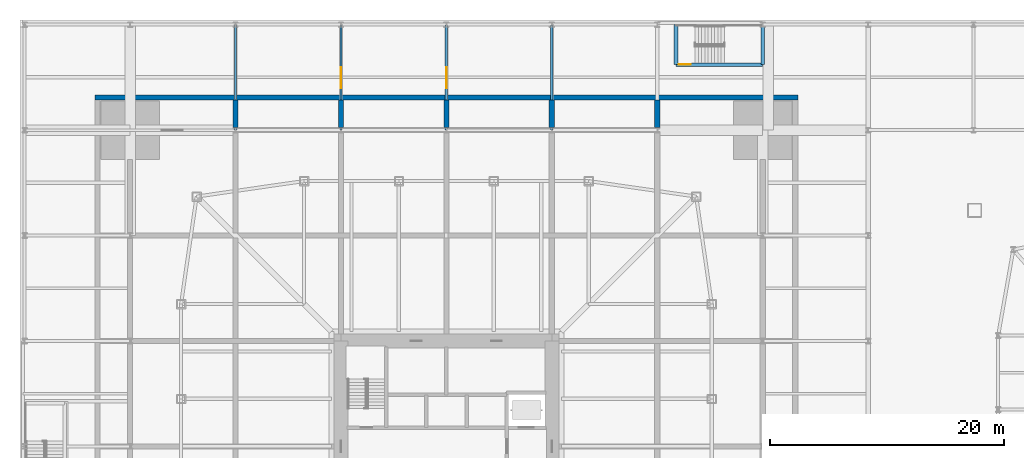
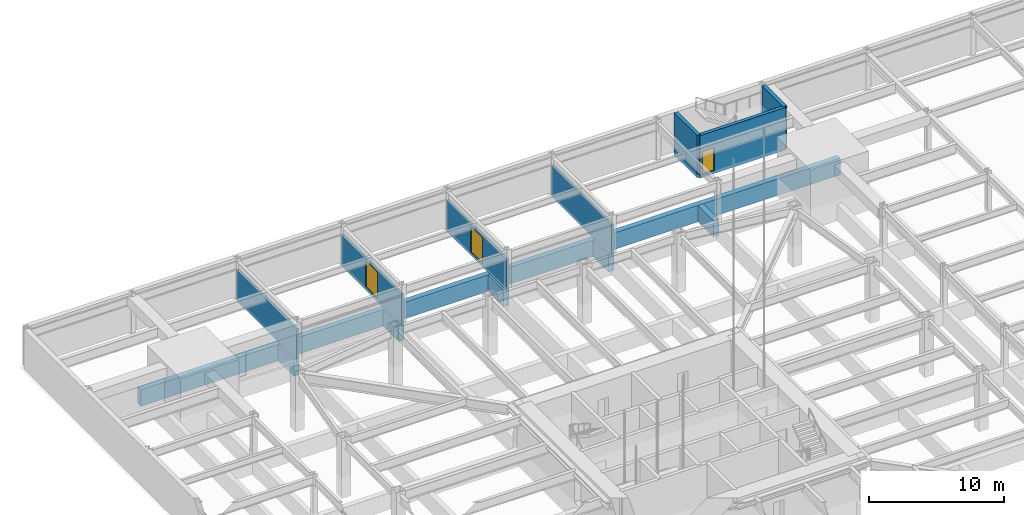
# One storey, part 17 of 35: 13 walls, 3 doors, 3 openings.
"""IFC4 building model written with IfcOpenShell, lengths in metres."""

from ifc_helpers import new_model, si_unit, direction, frame, frame_2d, origin, place, context, subcontext, project, spatial, rectangle, extrude, material, layer, layer_set, type_object, element, fill, save


model = new_model("IFC4")

# Units and contexts
model_context = context("Model", 3, precision=1e-05, world=origin(), true_north=direction((0.0, 1.0)))
body_context = subcontext(model_context, "Body", "Model", "MODEL_VIEW")
ifc_project = project(units=[si_unit("LENGTHUNIT", "METRE"), si_unit("AREAUNIT", "SQUARE_METRE"), si_unit("VOLUMEUNIT", "CUBIC_METRE"), si_unit("PLANEANGLEUNIT", "RADIAN"), si_unit("MASSUNIT", "GRAM", prefix="KILO")], contexts=[model_context])

# Site, building, storey
site_placement = place(None, origin())
site = spatial("IfcSite", under=ifc_project, at=site_placement, CompositionType="ELEMENT")
building_placement = place(site_placement, origin())
building = spatial("IfcBuilding", under=site, at=building_placement, Name="Iwan Alto Co-Living Towers", CompositionType="ELEMENT")
storey_placement = place(building_placement, frame((0.0, 0.0, -7.199951171875)))
storey = spatial("IfcBuildingStorey", under=building, at=storey_placement, Name="B2", CompositionType="ELEMENT", Elevation=-7.199951171875)

# Walls
ifc_material_1 = material(Name="Concrete f'c 35 MPa", Category="concrete")
ifc_layer_1 = layer(ifc_material_1, 0.449951171875)
ifc_layer_set_1 = layer_set([ifc_layer_1], Name="BOX CELL WALL 450")
wall_type_1 = type_object("IfcWallType", Name="BOX CELL WALL 450", PredefinedType="SOLIDWALL", material=ifc_layer_set_1)
wall_1_placement = place(storey_placement, frame((30.0, 29.77490234375, -1.800048828125), z_axis=(0.0, 0.0, 1.0), x_axis=(-1.0, 0.0, 0.0)))
element("IfcWall", 1, at=wall_1_placement, inside=storey, type_object=wall_type_1, Name="T1 box perimeter wall N", PredefinedType="SOLIDWALL", context=body_context, shape_type="SweptSolid", body=[
    extrude(rectangle(XDim=60.0, YDim=0.449951171875, at=frame_2d((30.0, 0.0))), origin(), (0.0, 0.0, 1.0), 1.5),
])
for number, where, z_axis, x_axis, name in (
    (2, (-18.0, 27.22509765625, -1.800048828125), (0.0, 0.0, 1.0), (0.0, 1.0, 0.0), "T1 box cell wall on grid 3"),
    (3, (-9.0, 27.22509765625, -1.800048828125), (0.0, 0.0, 1.0), (0.0, 1.0, 0.0), "T1 box cell wall on grid 4"),
    (4, (0.0, 27.22509765625, -1.800048828125), (0.0, 0.0, 1.0), (0.0, 1.0, 0.0), "T1 box cell wall on grid 5"),
    (5, (9.0, 27.22509765625, -1.800048828125), (0.0, 0.0, 1.0), (0.0, 1.0, 0.0), "T1 box cell wall on grid 6"),
    (6, (18.0, 27.22509765625, -1.800048828125), (0.0, 0.0, 1.0), (0.0, 1.0, 0.0), "T1 box cell wall on grid 7"),
):
    element("IfcWall", number, at=place(storey_placement, frame(where, z_axis=z_axis, x_axis=x_axis)), inside=storey, type_object=wall_type_1, Name=name, PredefinedType="SOLIDWALL", context=body_context, shape_type="SweptSolid", body=[
        extrude(rectangle(XDim=2.324951171875, YDim=0.449951171875, at=frame_2d((1.16259765625, 0.0))), origin(), (0.0, 0.0, 1.0), 1.5),
    ])
ifc_material_2 = material(Name="Concrete block masonry f*p 10 MPa", Category="masonry")
ifc_layer_2 = layer(ifc_material_2, 0.199951171875)
ifc_layer_set_2 = layer_set([ifc_layer_2], Name="PODIUM INTERNAL WALL 200")
wall_type_2 = type_object("IfcWallType", Name="PODIUM INTERNAL WALL 200", PredefinedType="SOLIDWALL", material=ifc_layer_set_2)
wall_2_placement = place(storey_placement, frame((9.0, 27.0, -0.25), z_axis=(0.0, 0.0, 1.0), x_axis=(0.0, 1.0, 0.0)))
element("IfcWall", 7, at=wall_2_placement, inside=storey, type_object=wall_type_2, Name="Partition B2", PredefinedType="SOLIDWALL", context=body_context, shape_type="SweptSolid", body=[
    extrude(rectangle(XDim=8.93994140625, YDim=0.199951171875, at=frame_2d((4.469970703125, 0.0))), origin(), (0.0, 0.0, 1.0), 2.830322265625),
])

# Wall, opening, door
wall_3_placement = place(storey_placement, frame((0.0, 27.0, -0.25), z_axis=(0.0, 0.0, 1.0), x_axis=(0.0, 1.0, 0.0)))
wall_3 = element("IfcWall", 8, at=wall_3_placement, inside=storey, type_object=wall_type_2, Name="Partition B2", PredefinedType="SOLIDWALL", context=body_context, shape_type="SweptSolid", body=[
    extrude(rectangle(XDim=8.93994140625, YDim=0.199951171875, at=frame_2d((4.469970703125, 0.0))), origin(), (0.0, 0.0, 1.0), 2.830322265625),
])
opening_1_placement = place(wall_3_placement, frame((3.570068359375, 0.0, 0.25)))
opening_1 = element("IfcOpeningElement", 9, at=opening_1_placement, cuts=wall_3, Name="Opening D10", PredefinedType="OPENING", context=body_context, shape_type="SweptSolid", body=[
    extrude(rectangle(XDim=1.800048828125, YDim=2.39990234375, at=frame_2d((0.89990234375, 1.199951171875))), frame((0.0, 0.10986328125, 0.0), z_axis=(0.0, -1.0, 0.0), x_axis=(1.0, 0.0, 0.0)), (0.0, 0.0, 1.0), 0.219970703125),
])
ifc_material_3 = material(Name="Steel frame with timber leaf", Category="steel")
door_type_1 = type_object("IfcDoorType", Name="PLANT ROOM DOOR FD60 1800X2400", OperationType="DOUBLE_DOOR_SINGLE_SWING", PredefinedType="DOOR", material=ifc_material_3)
door_1_placement = place(opening_1_placement, frame((1.800048828125, 0.0, 0.0), z_axis=(0.0, 0.0, 1.0), x_axis=(-1.0, 0.0, 0.0)))
door_1 = element("IfcDoor", 10, at=door_1_placement, inside=storey, type_object=door_type_1, Name="Sewage and stormwater pump room door B2", OperationType="DOUBLE_DOOR_SINGLE_SWING", OverallHeight=2.39990234375, OverallWidth=1.800048828125, PredefinedType="DOOR", context=body_context, shape_type="SweptSolid", body=[
    extrude(rectangle(XDim=1.800048828125, YDim=2.39990234375, at=frame_2d((0.89990234375, 1.199951171875))), frame((0.0, 0.02490234375, 0.0), z_axis=(0.0, -1.0, 0.0), x_axis=(1.0, 0.0, 0.0)), (0.0, 0.0, 1.0), 0.050048828125),
])
fill(opening_1, door_1)

wall_4_placement = place(storey_placement, frame((-9.0, 27.0, -0.25), z_axis=(0.0, 0.0, 1.0), x_axis=(0.0, 1.0, 0.0)))
wall_4 = element("IfcWall", 11, at=wall_4_placement, inside=storey, type_object=wall_type_2, Name="Partition B2", PredefinedType="SOLIDWALL", context=body_context, shape_type="SweptSolid", body=[
    extrude(rectangle(XDim=8.93994140625, YDim=0.199951171875, at=frame_2d((4.469970703125, 0.0))), origin(), (0.0, 0.0, 1.0), 2.830322265625),
])
opening_2_placement = place(wall_4_placement, frame((3.570068359375, 0.0, 0.25)))
opening_2 = element("IfcOpeningElement", 12, at=opening_2_placement, cuts=wall_4, Name="Opening D10", PredefinedType="OPENING", context=body_context, shape_type="SweptSolid", body=[
    extrude(rectangle(XDim=1.800048828125, YDim=2.39990234375, at=frame_2d((0.89990234375, 1.199951171875))), frame((0.0, 0.10986328125, 0.0), z_axis=(0.0, -1.0, 0.0), x_axis=(1.0, 0.0, 0.0)), (0.0, 0.0, 1.0), 0.219970703125),
])
door_2_placement = place(opening_2_placement, origin())
door_2 = element("IfcDoor", 13, at=door_2_placement, inside=storey, type_object=door_type_1, Name="Fire pump room door B2", OperationType="DOUBLE_DOOR_SINGLE_SWING", OverallHeight=2.39990234375, OverallWidth=1.800048828125, PredefinedType="DOOR", context=body_context, shape_type="SweptSolid", body=[
    extrude(rectangle(XDim=1.800048828125, YDim=2.39990234375, at=frame_2d((0.89990234375, 1.199951171875))), frame((0.0, 0.02490234375, 0.0), z_axis=(0.0, -1.0, 0.0), x_axis=(1.0, 0.0, 0.0)), (0.0, 0.0, 1.0), 0.050048828125),
])
fill(opening_2, door_2)

# Wall
wall_5_placement = place(storey_placement, frame((-18.0, 27.0, -0.25), z_axis=(0.0, 0.0, 1.0), x_axis=(0.0, 1.0, 0.0)))
element("IfcWall", 14, at=wall_5_placement, inside=storey, type_object=wall_type_2, Name="Partition B2", PredefinedType="SOLIDWALL", context=body_context, shape_type="SweptSolid", body=[
    extrude(rectangle(XDim=8.93994140625, YDim=0.199951171875, at=frame_2d((4.469970703125, 0.0))), origin(), (0.0, 0.0, 1.0), 2.830322265625),
])

# Wall, opening, door
ifc_material_4 = material(Name="Concrete f'c 70 MPa", Category="concrete")
ifc_layer_3 = layer(ifc_material_4, 0.300048828125)
ifc_layer_set_3 = layer_set([ifc_layer_3], Name="SHAFT WALL 300")
wall_type_3 = type_object("IfcWallType", Name="SHAFT WALL 300", PredefinedType="SOLIDWALL", material=ifc_layer_set_3)
wall_6_placement = place(storey_placement, frame((19.60009765625, 32.60009765625, -0.25), z_axis=(0.0, 0.0, 1.0), x_axis=(1.0, 0.0, 0.0)))
wall_6 = element("IfcWall", 15, at=wall_6_placement, inside=storey, type_object=wall_type_3, Name="Shaft wall B2", PredefinedType="SOLIDWALL", context=body_context, shape_type="SweptSolid", body=[
    extrude(rectangle(XDim=7.39990234375, YDim=0.300048828125, at=frame_2d((3.699951171875, 0.0))), origin(), (0.0, 0.0, 1.0), 3.849853515625),
])
opening_3_placement = place(wall_6_placement, frame((0.25, 0.0, 0.25)))
opening_3 = element("IfcOpeningElement", 16, at=opening_3_placement, cuts=wall_6, Name="Opening D5", PredefinedType="OPENING", context=body_context, shape_type="SweptSolid", body=[
    extrude(rectangle(XDim=1.0, YDim=2.10009765625, at=frame_2d((0.5, 1.050048828125))), frame((0.0, 0.159912109375, 0.0), z_axis=(0.0, -1.0, 0.0), x_axis=(1.0, 0.0, 0.0)), (0.0, 0.0, 1.0), 0.320068359375),
])
ifc_material_5 = material(Name="Steel frame with timber leaf", Category="steel")
door_type_2 = type_object("IfcDoorType", Name="STAIR DOOR FD120S 1000X2100", OperationType="SINGLE_SWING_LEFT", PredefinedType="DOOR", material=ifc_material_5)
door_3_placement = place(opening_3_placement, origin())
door_3 = element("IfcDoor", 17, at=door_3_placement, inside=storey, type_object=door_type_2, Name="Stair PS3 door B2", OperationType="SINGLE_SWING_LEFT", OverallHeight=2.10009765625, OverallWidth=1.0, PredefinedType="DOOR", context=body_context, shape_type="SweptSolid", body=[
    extrude(rectangle(XDim=1.0, YDim=2.10009765625, at=frame_2d((0.5, 1.050048828125))), frame((0.0, 0.02490234375, 0.0), z_axis=(0.0, -1.0, 0.0), x_axis=(1.0, 0.0, 0.0)), (0.0, 0.0, 1.0), 0.050048828125),
])
fill(opening_3, door_3)

# Walls
wall_7_placement = place(storey_placement, frame((27.0, 32.60009765625, -0.25), z_axis=(0.0, 0.0, 1.0), x_axis=(0.0, 1.0, 0.0)))
element("IfcWall", 18, at=wall_7_placement, inside=storey, type_object=wall_type_3, Name="Shaft wall B2", PredefinedType="SOLIDWALL", context=body_context, shape_type="SweptSolid", body=[
    extrude(rectangle(XDim=3.1826171875, YDim=0.300048828125, at=frame_2d((1.59130859375, 0.0))), origin(), (0.0, 0.0, 1.0), 3.849853515625),
])
wall_8_placement = place(storey_placement, frame((19.60009765625, 32.60009765625, -0.25), z_axis=(0.0, 0.0, 1.0), x_axis=(0.0, 1.0, 0.0)))
element("IfcWall", 19, at=wall_8_placement, inside=storey, type_object=wall_type_3, Name="Shaft wall B2", PredefinedType="SOLIDWALL", context=body_context, shape_type="SweptSolid", body=[
    extrude(rectangle(XDim=3.39990234375, YDim=0.300048828125, at=frame_2d((1.699951171875, 0.0))), origin(), (0.0, 0.0, 1.0), 3.849853515625),
])

save(model, "model.ifc")
